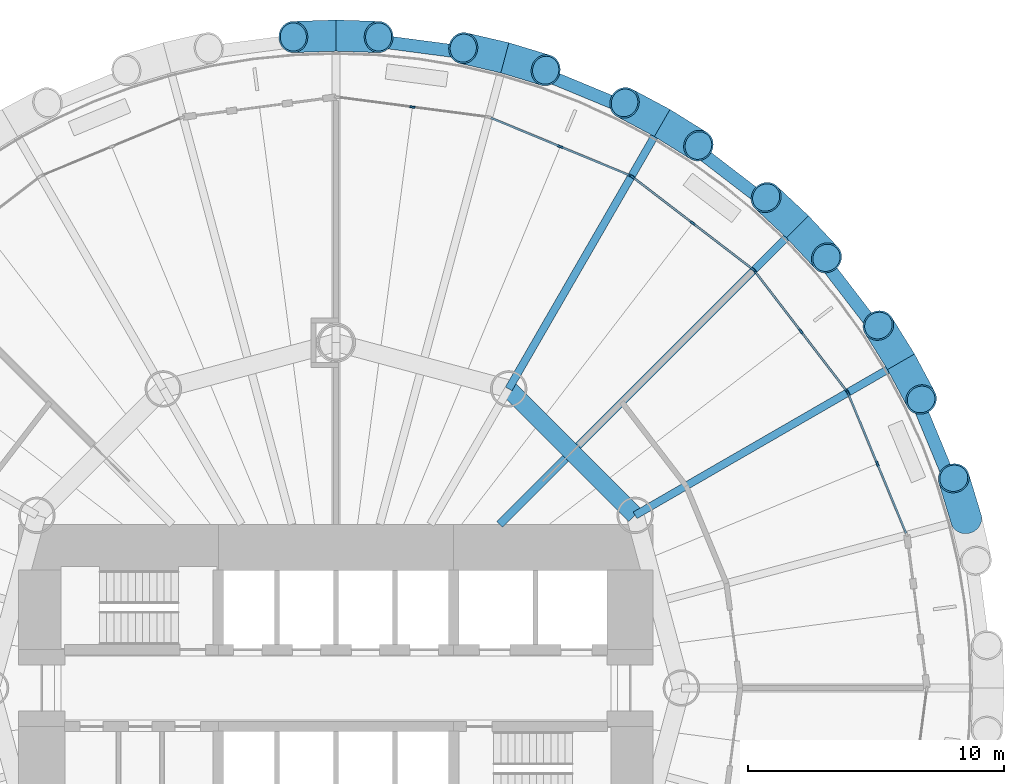
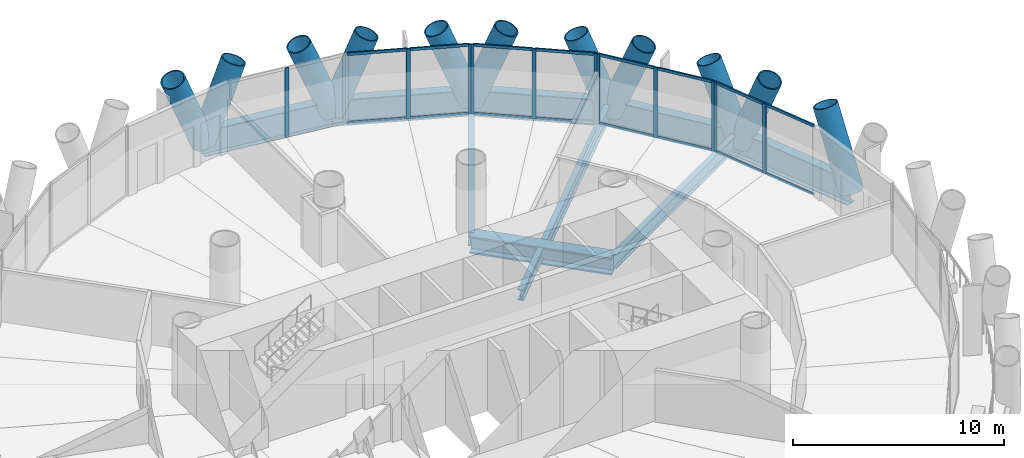
# One storey, part 6 of 14: 38 members, 10 beams, 5 elements without a shape of their own.
"""IFC4 building model written with IfcOpenShell, lengths in metres."""

from ifc_helpers import new_model, si_unit, direction, frame, origin, origin_2d, place, context, subcontext, project, spatial, rectangle, hollow_circle, i_section, extrude, material, material_profile, profile_set, type_object, element, aggregate, save


model = new_model("IFC4")

# Units and contexts
model_context = context("Model", 3, precision=1e-05, world=origin(), true_north=direction((0.0, 1.0)))
body_context = subcontext(model_context, "Body", "Model", "MODEL_VIEW")
ifc_project = project(units=[si_unit("LENGTHUNIT", "METRE"), si_unit("AREAUNIT", "SQUARE_METRE"), si_unit("VOLUMEUNIT", "CUBIC_METRE"), si_unit("PLANEANGLEUNIT", "RADIAN"), si_unit("MASSUNIT", "GRAM", prefix="KILO")], contexts=[model_context])

# Site, building, storey
site_placement = place(None, origin())
site = spatial("IfcSite", under=ifc_project, at=site_placement, CompositionType="ELEMENT")
building_placement = place(site_placement, origin())
building = spatial("IfcBuilding", under=site, at=building_placement, Name="Qaws Media Tower", CompositionType="ELEMENT")
storey_placement = place(building_placement, frame((0.0, 0.0, 76.39990234375)))
storey = spatial("IfcBuildingStorey", under=building, at=storey_placement, Name="L16", CompositionType="ELEMENT", Elevation=76.39990234375)

# Curtain wall, members
ifc_material_1 = material(Name="Aluminium and clear glass", Category="aluminium")
curtain_wall_type = type_object("IfcCurtainWallType", Name="Unitised curtain wall CW-A", PredefinedType="NOTDEFINED", material=ifc_material_1)
curtain_wall_1_placement = place(storey_placement, origin())
curtain_wall_1 = element("IfcCurtainWall", 1, at=curtain_wall_1_placement, inside=storey, type_object=curtain_wall_type, Name="CWA curtain wall L16-02", PredefinedType="NOTDEFINED")
ifc_material_2 = material(Name="Aluminium mullion", Category="aluminium")
ifc_material_profile_1 = material_profile(ifc_material_2, rectangle(XDim=0.080078125, YDim=0.199951171875, at=origin_2d()), Name="80x200")
ifc_profile_set_1 = profile_set([ifc_material_profile_1], Name="Aluminium mullion")
member_type_1 = type_object("IfcMemberType", Name="Curtain wall mullion 80x200", PredefinedType="MULLION", material=ifc_profile_set_1)
member_1_placement = place(storey_placement, frame((81.158935546875, 58.764404296875, 0.0), z_axis=(0.0, 0.0, 1.0), x_axis=(-0.923879517022, -0.382683469758, 0.0)))
member_1 = element("IfcMember", 2, at=member_1_placement, type_object=member_type_1, Name="CWA mullion 2", PredefinedType="MULLION", context=body_context, shape_type="SweptSolid", body=[
    extrude(rectangle(XDim=0.080078125, YDim=0.199951171875, at=origin_2d()), origin(), (0.0, 0.0, 1.0), 4.0400390625),
])
member_2_placement = place(storey_placement, frame((80.0205078125, 61.512939453125, 0.0), z_axis=(0.0, 0.0, 1.0), x_axis=(-0.923879517022, -0.382683469758, 0.0)))
member_2 = element("IfcMember", 3, at=member_2_placement, type_object=member_type_1, Name="CWA mullion 3", PredefinedType="MULLION", context=body_context, shape_type="SweptSolid", body=[
    extrude(rectangle(XDim=0.080078125, YDim=0.199951171875, at=origin_2d()), origin(), (0.0, 0.0, 1.0), 4.0400390625),
])

curtain_wall_2_placement = place(storey_placement, origin())
curtain_wall_2 = element("IfcCurtainWall", 4, at=curtain_wall_2_placement, inside=storey, type_object=curtain_wall_type, Name="CWA curtain wall L16-03", PredefinedType="NOTDEFINED")
member_3_placement = place(storey_placement, frame((79.98095703125, 61.581787109375, 0.0), z_axis=(0.0, 0.0, 1.0), x_axis=(-0.79335337666, -0.608761381612, 0.0)))
member_3 = element("IfcMember", 5, at=member_3_placement, type_object=member_type_1, Name="CWA mullion 1", PredefinedType="MULLION", context=body_context, shape_type="SweptSolid", body=[
    extrude(rectangle(XDim=0.080078125, YDim=0.199951171875, at=origin_2d()), origin(), (0.0, 0.0, 1.0), 4.0400390625),
])
member_4_placement = place(storey_placement, frame((78.169677734375, 63.942138671875, 0.0), z_axis=(0.0, 0.0, 1.0), x_axis=(-0.79335337666, -0.608761381612, 0.0)))
member_4 = element("IfcMember", 6, at=member_4_placement, type_object=member_type_1, Name="CWA mullion 2", PredefinedType="MULLION", context=body_context, shape_type="SweptSolid", body=[
    extrude(rectangle(XDim=0.080078125, YDim=0.199951171875, at=origin_2d()), origin(), (0.0, 0.0, 1.0), 4.0400390625),
])
member_5_placement = place(storey_placement, frame((76.3583984375, 66.302490234375, 0.0), z_axis=(0.0, 0.0, 1.0), x_axis=(-0.79335337666, -0.608761381612, 0.0)))
member_5 = element("IfcMember", 7, at=member_5_placement, type_object=member_type_1, Name="CWA mullion 3", PredefinedType="MULLION", context=body_context, shape_type="SweptSolid", body=[
    extrude(rectangle(XDim=0.080078125, YDim=0.199951171875, at=origin_2d()), origin(), (0.0, 0.0, 1.0), 4.0400390625),
])

curtain_wall_3_placement = place(storey_placement, origin())
curtain_wall_3 = element("IfcCurtainWall", 8, at=curtain_wall_3_placement, inside=storey, type_object=curtain_wall_type, Name="CWA curtain wall L16-04", PredefinedType="NOTDEFINED")
member_6_placement = place(storey_placement, frame((76.302490234375, 66.3583984375, 0.0), z_axis=(0.0, 0.0, 1.0), x_axis=(-0.608761381612, -0.79335337666, 0.0)))
member_6 = element("IfcMember", 9, at=member_6_placement, type_object=member_type_1, Name="CWA mullion 1", PredefinedType="MULLION", context=body_context, shape_type="SweptSolid", body=[
    extrude(rectangle(XDim=0.080078125, YDim=0.199951171875, at=origin_2d()), origin(), (0.0, 0.0, 1.0), 4.0400390625),
])
member_7_placement = place(storey_placement, frame((73.942138671875, 68.169677734375, 0.0), z_axis=(0.0, 0.0, 1.0), x_axis=(-0.608761381612, -0.79335337666, 0.0)))
member_7 = element("IfcMember", 10, at=member_7_placement, type_object=member_type_1, Name="CWA mullion 2", PredefinedType="MULLION", context=body_context, shape_type="SweptSolid", body=[
    extrude(rectangle(XDim=0.080078125, YDim=0.199951171875, at=origin_2d()), origin(), (0.0, 0.0, 1.0), 4.0400390625),
])
member_8_placement = place(storey_placement, frame((71.581787109375, 69.98095703125, 0.0), z_axis=(0.0, 0.0, 1.0), x_axis=(-0.608761381612, -0.79335337666, 0.0)))
member_8 = element("IfcMember", 11, at=member_8_placement, type_object=member_type_1, Name="CWA mullion 3", PredefinedType="MULLION", context=body_context, shape_type="SweptSolid", body=[
    extrude(rectangle(XDim=0.080078125, YDim=0.199951171875, at=origin_2d()), origin(), (0.0, 0.0, 1.0), 4.0400390625),
])

curtain_wall_4_placement = place(storey_placement, origin())
curtain_wall_4 = element("IfcCurtainWall", 12, at=curtain_wall_4_placement, inside=storey, type_object=curtain_wall_type, Name="CWA curtain wall L16-05", PredefinedType="NOTDEFINED")
member_9_placement = place(storey_placement, frame((71.512939453125, 70.0205078125, 0.0), z_axis=(0.0, 0.0, 1.0), x_axis=(-0.382683469758, -0.923879517022, 0.0)))
member_9 = element("IfcMember", 13, at=member_9_placement, type_object=member_type_1, Name="CWA mullion 1", PredefinedType="MULLION", context=body_context, shape_type="SweptSolid", body=[
    extrude(rectangle(XDim=0.080078125, YDim=0.199951171875, at=origin_2d()), origin(), (0.0, 0.0, 1.0), 4.0400390625),
])
member_10_placement = place(storey_placement, frame((68.764404296875, 71.158935546875, 0.0), z_axis=(0.0, 0.0, 1.0), x_axis=(-0.382683469758, -0.923879517022, 0.0)))
member_10 = element("IfcMember", 14, at=member_10_placement, type_object=member_type_1, Name="CWA mullion 2", PredefinedType="MULLION", context=body_context, shape_type="SweptSolid", body=[
    extrude(rectangle(XDim=0.080078125, YDim=0.199951171875, at=origin_2d()), origin(), (0.0, 0.0, 1.0), 4.0400390625),
])

# Curtain wall, member
curtain_wall_5_placement = place(storey_placement, origin())
curtain_wall_5 = element("IfcCurtainWall", 15, at=curtain_wall_5_placement, inside=storey, type_object=curtain_wall_type, Name="CWA curtain wall L16-06", PredefinedType="NOTDEFINED")
member_11_placement = place(storey_placement, frame((62.9892578125, 72.70654296875, 0.0), z_axis=(0.0, 0.0, 1.0), x_axis=(-0.130526123696, -0.991444870395, 0.0)))
member_11 = element("IfcMember", 16, at=member_11_placement, type_object=member_type_1, Name="CWA mullion 2", PredefinedType="MULLION", context=body_context, shape_type="SweptSolid", body=[
    extrude(rectangle(XDim=0.080078125, YDim=0.199951171875, at=origin_2d()), origin(), (0.0, 0.0, 1.0), 4.0400390625),
])
aggregate(curtain_wall_5, [member_11])

# Member
ifc_material_3 = material(Name="Aluminium transom", Category="aluminium")
ifc_material_profile_2 = material_profile(ifc_material_3, rectangle(XDim=0.080078125, YDim=0.159912109375, at=origin_2d()), Name="80x160")
ifc_profile_set_2 = profile_set([ifc_material_profile_2], Name="Aluminium transom")
member_type_2 = type_object("IfcMemberType", Name="Curtain wall transom 80x160", PredefinedType="USERDEFINED", material=ifc_profile_set_2)
member_12_placement = place(storey_placement, frame((82.2822265625, 56.052734375, 0.0400390625), z_axis=(-0.382704337855, 0.923870872897, 0.0), x_axis=(-0.923870872897, -0.382704337855, 0.0)))
member_12 = element("IfcMember", 17, at=member_12_placement, type_object=member_type_2, Name="CWA transom 1.1", ObjectType="TRANSOM", PredefinedType="USERDEFINED", context=body_context, shape_type="SweptSolid", body=[
    extrude(rectangle(XDim=0.080078125, YDim=0.159912109375, at=origin_2d()), origin(), (0.0, 0.0, 1.0), 2.89501953125),
])

member_13_placement = place(storey_placement, frame((82.2822265625, 56.052734375, 4.0), z_axis=(-0.382704337855, 0.923870872897, 0.0), x_axis=(-0.923870872897, -0.382704337855, 0.0)))
member_13 = element("IfcMember", 18, at=member_13_placement, type_object=member_type_2, Name="CWA transom 1.2", ObjectType="TRANSOM", PredefinedType="USERDEFINED", context=body_context, shape_type="SweptSolid", body=[
    extrude(rectangle(XDim=0.080078125, YDim=0.159912109375, at=origin_2d()), origin(), (0.0, 0.0, 1.0), 2.89501953125),
])

member_14_placement = place(storey_placement, frame((81.143798828125, 58.80126953125, 0.0400390625), z_axis=(-0.382674522319, 0.923883223123, 0.0), x_axis=(-0.923883223123, -0.382674522319, 0.0)))
member_14 = element("IfcMember", 19, at=member_14_placement, type_object=member_type_2, Name="CWA transom 2.1", ObjectType="TRANSOM", PredefinedType="USERDEFINED", context=body_context, shape_type="SweptSolid", body=[
    extrude(rectangle(XDim=0.080078125, YDim=0.159912109375, at=origin_2d()), origin(), (0.0, 0.0, 1.0), 2.895263671875),
])

member_15_placement = place(storey_placement, frame((81.143798828125, 58.80126953125, 4.0), z_axis=(-0.382674522319, 0.923883223123, 0.0), x_axis=(-0.923883223123, -0.382674522319, 0.0)))
member_15 = element("IfcMember", 20, at=member_15_placement, type_object=member_type_2, Name="CWA transom 2.2", ObjectType="TRANSOM", PredefinedType="USERDEFINED", context=body_context, shape_type="SweptSolid", body=[
    extrude(rectangle(XDim=0.080078125, YDim=0.159912109375, at=origin_2d()), origin(), (0.0, 0.0, 1.0), 2.895263671875),
])

aggregate(curtain_wall_1, [member_1, member_2, member_12, member_13, member_14, member_15])

member_16_placement = place(storey_placement, frame((79.95654296875, 61.613525390625, 0.0400390625), z_axis=(-0.608760776012, 0.793353841353, 0.0), x_axis=(-0.793353841353, -0.608760776012, 0.0)))
member_16 = element("IfcMember", 21, at=member_16_placement, type_object=member_type_2, Name="CWA transom 1.1", ObjectType="TRANSOM", PredefinedType="USERDEFINED", context=body_context, shape_type="SweptSolid", body=[
    extrude(rectangle(XDim=0.080078125, YDim=0.159912109375, at=origin_2d()), origin(), (0.0, 0.0, 1.0), 2.895263671875),
])

member_17_placement = place(storey_placement, frame((79.95654296875, 61.613525390625, 4.0), z_axis=(-0.608760776012, 0.793353841353, 0.0), x_axis=(-0.793353841353, -0.608760776012, 0.0)))
member_17 = element("IfcMember", 22, at=member_17_placement, type_object=member_type_2, Name="CWA transom 1.2", ObjectType="TRANSOM", PredefinedType="USERDEFINED", context=body_context, shape_type="SweptSolid", body=[
    extrude(rectangle(XDim=0.080078125, YDim=0.159912109375, at=origin_2d()), origin(), (0.0, 0.0, 1.0), 2.895263671875),
])

member_18_placement = place(storey_placement, frame((78.145263671875, 63.973876953125, 0.0400390625), z_axis=(-0.608760776012, 0.793353841353, 0.0), x_axis=(-0.793353841353, -0.608760776012, 0.0)))
member_18 = element("IfcMember", 23, at=member_18_placement, type_object=member_type_2, Name="CWA transom 2.1", ObjectType="TRANSOM", PredefinedType="USERDEFINED", context=body_context, shape_type="SweptSolid", body=[
    extrude(rectangle(XDim=0.080078125, YDim=0.159912109375, at=origin_2d()), origin(), (0.0, 0.0, 1.0), 2.895263671875),
])

member_19_placement = place(storey_placement, frame((78.145263671875, 63.973876953125, 4.0), z_axis=(-0.608760776012, 0.793353841353, 0.0), x_axis=(-0.793353841353, -0.608760776012, 0.0)))
member_19 = element("IfcMember", 24, at=member_19_placement, type_object=member_type_2, Name="CWA transom 2.2", ObjectType="TRANSOM", PredefinedType="USERDEFINED", context=body_context, shape_type="SweptSolid", body=[
    extrude(rectangle(XDim=0.080078125, YDim=0.159912109375, at=origin_2d()), origin(), (0.0, 0.0, 1.0), 2.895263671875),
])

aggregate(curtain_wall_2, [member_3, member_4, member_5, member_16, member_17, member_18, member_19])

member_20_placement = place(storey_placement, frame((76.270751953125, 66.3828125, 0.0400390625), z_axis=(-0.793353841353, 0.608760776012, 0.0), x_axis=(-0.608760776012, -0.793353841353, 0.0)))
member_20 = element("IfcMember", 25, at=member_20_placement, type_object=member_type_2, Name="CWA transom 1.1", ObjectType="TRANSOM", PredefinedType="USERDEFINED", context=body_context, shape_type="SweptSolid", body=[
    extrude(rectangle(XDim=0.080078125, YDim=0.159912109375, at=origin_2d()), origin(), (0.0, 0.0, 1.0), 2.895263671875),
])

member_21_placement = place(storey_placement, frame((76.270751953125, 66.3828125, 4.0), z_axis=(-0.793353841353, 0.608760776012, 0.0), x_axis=(-0.608760776012, -0.793353841353, 0.0)))
member_21 = element("IfcMember", 26, at=member_21_placement, type_object=member_type_2, Name="CWA transom 1.2", ObjectType="TRANSOM", PredefinedType="USERDEFINED", context=body_context, shape_type="SweptSolid", body=[
    extrude(rectangle(XDim=0.080078125, YDim=0.159912109375, at=origin_2d()), origin(), (0.0, 0.0, 1.0), 2.895263671875),
])

member_22_placement = place(storey_placement, frame((73.910400390625, 68.194091796875, 0.0400390625), z_axis=(-0.793353841353, 0.608760776012, 0.0), x_axis=(-0.608760776012, -0.793353841353, 0.0)))
member_22 = element("IfcMember", 27, at=member_22_placement, type_object=member_type_2, Name="CWA transom 2.1", ObjectType="TRANSOM", PredefinedType="USERDEFINED", context=body_context, shape_type="SweptSolid", body=[
    extrude(rectangle(XDim=0.080078125, YDim=0.159912109375, at=origin_2d()), origin(), (0.0, 0.0, 1.0), 2.895263671875),
])

member_23_placement = place(storey_placement, frame((73.910400390625, 68.194091796875, 4.0), z_axis=(-0.793353841353, 0.608760776012, 0.0), x_axis=(-0.608760776012, -0.793353841353, 0.0)))
member_23 = element("IfcMember", 28, at=member_23_placement, type_object=member_type_2, Name="CWA transom 2.2", ObjectType="TRANSOM", PredefinedType="USERDEFINED", context=body_context, shape_type="SweptSolid", body=[
    extrude(rectangle(XDim=0.080078125, YDim=0.159912109375, at=origin_2d()), origin(), (0.0, 0.0, 1.0), 2.895263671875),
])

aggregate(curtain_wall_3, [member_6, member_7, member_8, member_20, member_21, member_22, member_23])

member_24_placement = place(storey_placement, frame((71.47607421875, 70.035888671875, 0.0400390625), z_axis=(-0.923883223123, 0.382674522319, 0.0), x_axis=(-0.382674522319, -0.923883223123, 0.0)))
member_24 = element("IfcMember", 29, at=member_24_placement, type_object=member_type_2, Name="CWA transom 1.1", ObjectType="TRANSOM", PredefinedType="USERDEFINED", context=body_context, shape_type="SweptSolid", body=[
    extrude(rectangle(XDim=0.080078125, YDim=0.159912109375, at=origin_2d()), origin(), (0.0, 0.0, 1.0), 2.895263671875),
])

member_25_placement = place(storey_placement, frame((71.47607421875, 70.035888671875, 4.0), z_axis=(-0.923883223123, 0.382674522319, 0.0), x_axis=(-0.382674522319, -0.923883223123, 0.0)))
member_25 = element("IfcMember", 30, at=member_25_placement, type_object=member_type_2, Name="CWA transom 1.2", ObjectType="TRANSOM", PredefinedType="USERDEFINED", context=body_context, shape_type="SweptSolid", body=[
    extrude(rectangle(XDim=0.080078125, YDim=0.159912109375, at=origin_2d()), origin(), (0.0, 0.0, 1.0), 2.895263671875),
])

member_26_placement = place(storey_placement, frame((68.727294921875, 71.17431640625, 0.0400390625), z_axis=(-0.923870872897, 0.382704337855, 0.0), x_axis=(-0.382704337855, -0.923870872897, 0.0)))
member_26 = element("IfcMember", 31, at=member_26_placement, type_object=member_type_2, Name="CWA transom 2.1", ObjectType="TRANSOM", PredefinedType="USERDEFINED", context=body_context, shape_type="SweptSolid", body=[
    extrude(rectangle(XDim=0.080078125, YDim=0.159912109375, at=origin_2d()), origin(), (0.0, 0.0, 1.0), 2.89501953125),
])

member_27_placement = place(storey_placement, frame((68.727294921875, 71.17431640625, 4.0), z_axis=(-0.923870872897, 0.382704337855, 0.0), x_axis=(-0.382704337855, -0.923870872897, 0.0)))
member_27 = element("IfcMember", 32, at=member_27_placement, type_object=member_type_2, Name="CWA transom 2.2", ObjectType="TRANSOM", PredefinedType="USERDEFINED", context=body_context, shape_type="SweptSolid", body=[
    extrude(rectangle(XDim=0.080078125, YDim=0.159912109375, at=origin_2d()), origin(), (0.0, 0.0, 1.0), 2.89501953125),
])

aggregate(curtain_wall_4, [member_9, member_10, member_24, member_25, member_26, member_27])

# Members
ifc_material_4 = material(Name="Steel S460", Category="steel")
ifc_material_profile_3 = material_profile(ifc_material_4, hollow_circle(Radius=0.609619140625, WallThickness=0.06005859375, at=origin_2d()), Name="CHS 1219x60")
ifc_profile_set_3 = profile_set([ifc_material_profile_3], Name="Steel S460")
member_type_3 = type_object("IfcMemberType", Name="Diagrid member CHS 1219x60", PredefinedType="USERDEFINED", material=ifc_profile_set_3)
for number, where, z_axis, x_axis, name in (
    (33, (84.631103515625, 56.599853515625, -0.909912109375), (-0.107178416227, 0.353353840999, 0.929329785462), (-0.956948083702, -0.290259134393, 0.0), "DG1 diagrid L16 A02"),
    (34, (82.083740234375, 62.75, -0.909912109375), (-0.195017867644, 0.31354119219, 0.929333068442), (-0.84914700904, -0.528156564892, 0.0), "DG1 diagrid L16 A03"),
    (35, (82.083740234375, 62.75, -0.909912109375), (0.174057612272, -0.32564223674, 0.929333675953), (0.881923279283, 0.471392967129, 0.0), "DG1 diagrid L16 B03"),
    (36, (78.03125, 68.03125, -0.909912109375), (-0.269513931591, 0.25238907364, 0.929334168201), (-0.683537088333, -0.729915782041, 0.0), "DG1 diagrid L16 A04"),
    (37, (78.03125, 68.03125, -0.909912109375), (0.25238907364, -0.269513931591, 0.929334168201), (0.729915782041, 0.683537088333, 0.0), "DG1 diagrid L16 B04"),
    (38, (72.75, 72.083740234375, -0.909912109375), (-0.32564223674, 0.174057612272, 0.929333675953), (-0.471392967129, -0.881923279283, 0.0), "DG1 diagrid L16 A05"),
    (39, (72.75, 72.083740234375, -0.909912109375), (0.31354119219, -0.195017867644, 0.929333068442), (0.528156564892, 0.84914700904, 0.0), "DG1 diagrid L16 B05"),
    (40, (66.599853515625, 74.631103515625, -0.909912109375), (-0.359571492302, 0.083842391234, 0.92934320644), (-0.227081601553, -0.973875734494, 0.0), "DG1 diagrid L16 A06"),
    (41, (66.599853515625, 74.631103515625, -0.909912109375), (0.353353840999, -0.107178416227, 0.929329785462), (0.290259134393, 0.956948083702, 0.0), "DG1 diagrid L16 B06"),
    (42, (60.0, 75.5, -0.909912109375), (-0.369024456381, -0.012100933718, 0.929340905156), (0.03277406881, -0.999462785907, 0.0), "DG1 diagrid L16 A07"),
    (43, (60.0, 75.5, -0.909912109375), (0.369024456381, -0.012100933718, 0.929340905156), (0.03277406881, 0.999462785907, 0.0), "DG1 diagrid L16 B07"),
):
    element("IfcMember", number, at=place(storey_placement, frame(where, z_axis=z_axis, x_axis=x_axis)), inside=storey, type_object=member_type_3, Name=name, ObjectType="DIAGRID", PredefinedType="USERDEFINED", context=body_context, shape_type="SweptSolid", body=[
        extrude(hollow_circle(Radius=0.609619140625, WallThickness=0.06005859375, at=origin_2d()), origin(), (0.0, 0.0, 1.0), 4.519287109375),
    ])

# Beams
ifc_material_5 = material(Name="Steel S460", Category="steel")
ifc_material_profile_4 = material_profile(ifc_material_5, i_section(OverallWidth=0.5, OverallDepth=1.5, WebThickness=0.02001953125, FlangeThickness=0.0400390625, at=origin_2d()), Name="PG 1500x500")
ifc_profile_set_4 = profile_set([ifc_material_profile_4], Name="Steel S460")
beam_type_1 = type_object("IfcBeamType", Name="Edge ring beam PG 1500x500", PredefinedType="BEAM", material=ifc_profile_set_4)
beam_1_placement = place(storey_placement, frame((84.631103515625, 56.599853515625, -0.909912109375), z_axis=(-0.382669224891, 0.923885417312, 0.0), x_axis=(-0.923885417312, -0.382669224891, 0.0)))
element("IfcBeam", 44, at=beam_1_placement, inside=storey, type_object=beam_type_1, Name="RB4 edge ring beam L16-02", PredefinedType="BEAM", context=body_context, shape_type="SweptSolid", body=[
    extrude(i_section(OverallWidth=0.5, OverallDepth=1.5, WebThickness=0.02001953125, FlangeThickness=0.0400390625, at=origin_2d()), origin(), (0.0, 0.0, 1.0), 6.65673828125),
])
for number, where, z_axis, x_axis, name in (
    (45, (82.083740234375, 62.75, -0.909912109375), (-0.608765643954, 0.793350106032, 0.0), (-0.793350106032, -0.608765643954, 0.0), "RB4 edge ring beam L16-03"),
    (46, (78.03125, 68.03125, -0.909912109375), (-0.793350106032, 0.608765643954, 0.0), (-0.608765643954, -0.793350106032, 0.0), "RB4 edge ring beam L16-04"),
):
    element("IfcBeam", number, at=place(storey_placement, frame(where, z_axis=z_axis, x_axis=x_axis)), inside=storey, type_object=beam_type_1, Name=name, PredefinedType="BEAM", context=body_context, shape_type="SweptSolid", body=[
        extrude(i_section(OverallWidth=0.5, OverallDepth=1.5, WebThickness=0.02001953125, FlangeThickness=0.0400390625, at=origin_2d()), origin(), (0.0, 0.0, 1.0), 6.656982421875),
    ])
for number, where, z_axis, x_axis, name in (
    (47, (72.75, 72.083740234375, -0.909912109375), (-0.923885417312, 0.382669224891, 0.0), (-0.382669224891, -0.923885417312, 0.0), "RB4 edge ring beam L16-05"),
    (48, (66.599853515625, 74.631103515625, -0.909912109375), (-0.991444680864, 0.130527563319, 0.0), (-0.130527563319, -0.991444680864, 0.0), "RB4 edge ring beam L16-06"),
):
    element("IfcBeam", number, at=place(storey_placement, frame(where, z_axis=z_axis, x_axis=x_axis)), inside=storey, type_object=beam_type_1, Name=name, PredefinedType="BEAM", context=body_context, shape_type="SweptSolid", body=[
        extrude(i_section(OverallWidth=0.5, OverallDepth=1.5, WebThickness=0.02001953125, FlangeThickness=0.0400390625, at=origin_2d()), origin(), (0.0, 0.0, 1.0), 6.65673828125),
    ])
ifc_material_6 = material(Name="Steel S460", Category="steel")
ifc_material_profile_5 = material_profile(ifc_material_6, i_section(OverallWidth=0.699951171875, OverallDepth=1.0, WebThickness=0.034912109375, FlangeThickness=0.090087890625, at=origin_2d()), Name="PG 1000x700")
ifc_profile_set_5 = profile_set([ifc_material_profile_5], Name="Steel S460")
beam_type_2 = type_object("IfcBeamType", Name="Inner ring girder PG 1000x700", PredefinedType="BEAM", material=ifc_profile_set_5)
beam_2_placement = place(storey_placement, frame((71.69140625, 56.75, -0.659912109375), z_axis=(-0.707106781187, 0.707106781187, 0.0), x_axis=(-0.707106781187, -0.707106781187, 0.0)))
element("IfcBeam", 49, at=beam_2_placement, inside=storey, type_object=beam_type_2, Name="B3 inner ring beam L16 I02-I03", PredefinedType="BEAM", context=body_context, shape_type="SweptSolid", body=[
    extrude(i_section(OverallWidth=0.699951171875, OverallDepth=1.0, WebThickness=0.034912109375, FlangeThickness=0.090087890625, at=origin_2d()), origin(), (0.0, 0.0, 1.0), 6.98828125),
])
ifc_material_7 = material(Name="Steel S355", Category="steel")
ifc_material_profile_6 = material_profile(ifc_material_7, i_section(OverallWidth=0.304931640625, OverallDepth=0.6201171875, WebThickness=0.02099609375, FlangeThickness=0.0400390625, FilletRadius=0.027099609375, at=origin_2d()), Name="HE 600 M")
ifc_profile_set_6 = profile_set([ifc_material_profile_6], Name="Steel S355")
beam_type_3 = type_object("IfcBeamType", Name="Radial beam HE 600 M, core side", PredefinedType="BEAM", material=ifc_profile_set_6)
beam_3_placement = place(storey_placement, frame((66.39990234375, 56.39990234375, -0.469970703125), z_axis=(0.707106781187, 0.707106781187, 0.0), x_axis=(-0.707106781187, 0.707106781187, 0.0)))
element("IfcBeam", 50, at=beam_3_placement, inside=storey, type_object=beam_type_3, Name="B2 radial beam L16 04", PredefinedType="BEAM", context=body_context, shape_type="SweptSolid", body=[
    extrude(i_section(OverallWidth=0.304931640625, OverallDepth=0.6201171875, WebThickness=0.02099609375, FlangeThickness=0.0400390625, FilletRadius=0.027099609375, at=origin_2d()), origin(), (0.0, 0.0, 1.0), 3.63916015625),
])
ifc_material_8 = material(Name="Steel S355", Category="steel")
ifc_material_profile_7 = material_profile(ifc_material_8, i_section(OverallWidth=0.300048828125, OverallDepth=0.800048828125, WebThickness=0.017578125, FlangeThickness=0.032958984375, FilletRadius=0.030029296875, at=origin_2d()), Name="HE 800 B")
ifc_profile_set_7 = profile_set([ifc_material_profile_7], Name="Steel S355")
beam_type_4 = type_object("IfcBeamType", Name="Radial beam HE 800 B", PredefinedType="BEAM", material=ifc_profile_set_7)
beam_4_placement = place(storey_placement, frame((71.69140625, 56.75, -0.559814453125), z_axis=(0.866026010844, 0.49999894854, 0.0), x_axis=(-0.49999894854, 0.866026010844, 0.0)))
element("IfcBeam", 51, at=beam_4_placement, inside=storey, type_object=beam_type_4, Name="B1 radial beam L16 03", PredefinedType="BEAM", context=body_context, shape_type="SweptSolid", body=[
    extrude(i_section(OverallWidth=0.300048828125, OverallDepth=0.800048828125, WebThickness=0.017578125, FlangeThickness=0.032958984375, FilletRadius=0.030029296875, at=origin_2d()), origin(), (0.0, 0.0, 1.0), 12.0),
])
beam_5_placement = place(storey_placement, frame((69.46826171875, 59.46826171875, -0.559814453125), z_axis=(0.707106781187, 0.707106781187, 0.0), x_axis=(-0.707106781187, 0.707106781187, 0.0)))
element("IfcBeam", 52, at=beam_5_placement, inside=storey, type_object=beam_type_4, Name="B1 radial beam L16 04", PredefinedType="BEAM", context=body_context, shape_type="SweptSolid", body=[
    extrude(i_section(OverallWidth=0.300048828125, OverallDepth=0.800048828125, WebThickness=0.017578125, FlangeThickness=0.032958984375, FilletRadius=0.030029296875, at=origin_2d()), origin(), (0.0, 0.0, 1.0), 12.10986328125),
])
beam_6_placement = place(storey_placement, frame((66.75, 61.69140625, -0.559814453125), z_axis=(0.49999894854, 0.866026010844, 0.0), x_axis=(-0.866026010844, 0.49999894854, 0.0)))
element("IfcBeam", 53, at=beam_6_placement, inside=storey, type_object=beam_type_4, Name="B1 radial beam L16 05", PredefinedType="BEAM", context=body_context, shape_type="SweptSolid", body=[
    extrude(i_section(OverallWidth=0.300048828125, OverallDepth=0.800048828125, WebThickness=0.017578125, FlangeThickness=0.032958984375, FilletRadius=0.030029296875, at=origin_2d()), origin(), (0.0, 0.0, 1.0), 12.0),
])

save(model, "model.ifc")
